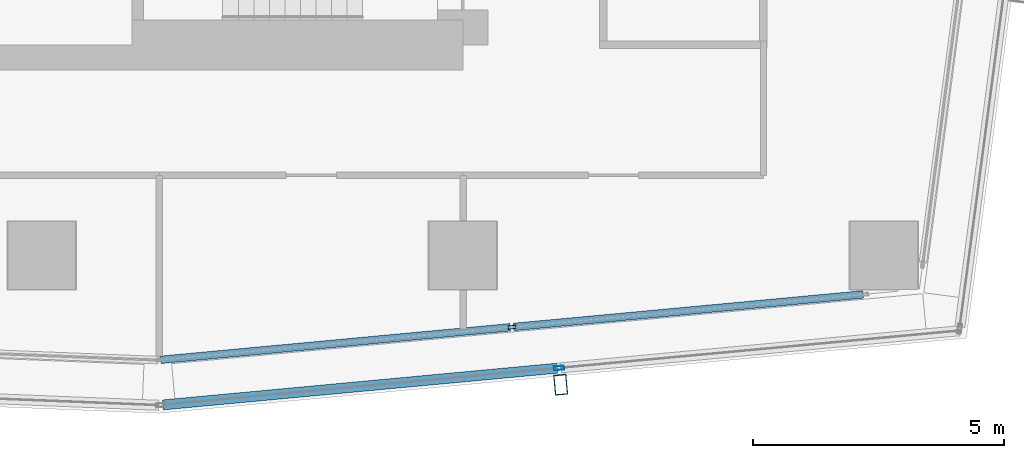
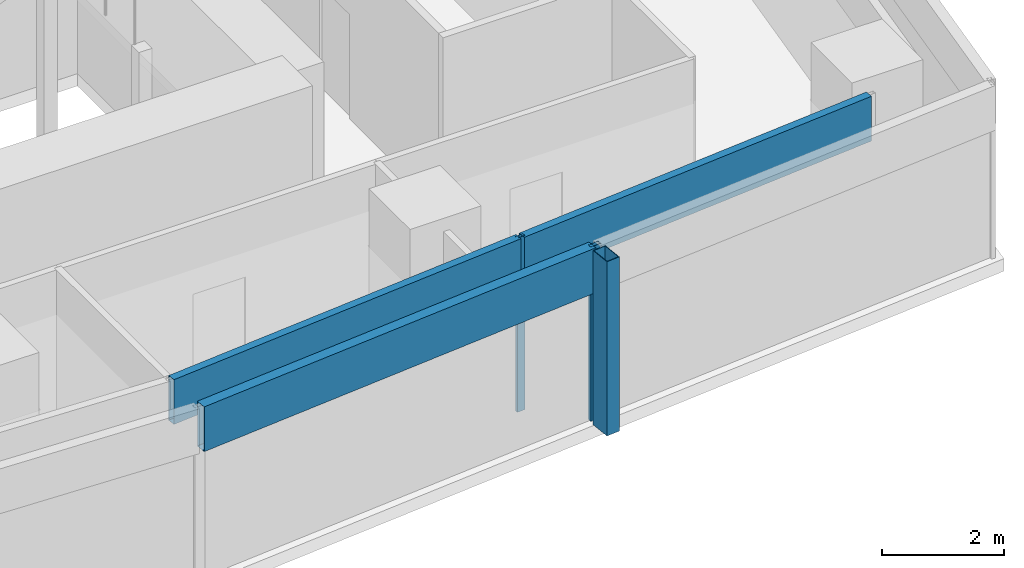
# One storey, part 9 of 35: 6 members, 2 elements without a shape of their own.
"""IFC4 building model written with IfcOpenShell, lengths in metres."""

from ifc_helpers import new_model, si_unit, direction, frame, origin, origin_2d, place, context, subcontext, project, spatial, hollow_rectangle, extrude, material, material_profile, profile_set, type_object, element, aggregate, save


model = new_model("IFC4")

# Units and contexts
model_context = context("Model", 3, precision=1e-05, world=origin(), true_north=direction((0.0, 1.0)))
body_context = subcontext(model_context, "Body", "Model", "MODEL_VIEW")
ifc_project = project(units=[si_unit("LENGTHUNIT", "METRE"), si_unit("AREAUNIT", "SQUARE_METRE"), si_unit("VOLUMEUNIT", "CUBIC_METRE"), si_unit("PLANEANGLEUNIT", "RADIAN"), si_unit("MASSUNIT", "GRAM", prefix="KILO")], contexts=[model_context])

# Site, building, storey
site_placement = place(None, origin())
site = spatial("IfcSite", under=ifc_project, at=site_placement, CompositionType="ELEMENT")
building_placement = place(site_placement, origin())
building = spatial("IfcBuilding", under=site, at=building_placement, Name="Rekha Terrace Tower", CompositionType="ELEMENT")
storey_placement = place(building_placement, frame((0.0, 0.0, 191.449951171875)))
storey = spatial("IfcBuildingStorey", under=building, at=storey_placement, Name="L48", CompositionType="ELEMENT", Elevation=191.449951171875)

# Curtain wall, member
ifc_material_1 = material(Name="Aluminium framing", Category="aluminium")
curtain_wall_type_1 = type_object("IfcCurtainWallType", Name="CW2 double skin outer glazing", PredefinedType="USERDEFINED", material=ifc_material_1)
curtain_wall_1_placement = place(storey_placement, origin())
curtain_wall_1 = element("IfcCurtainWall", 1, at=curtain_wall_1_placement, inside=storey, type_object=curtain_wall_type_1, Name="CW2 double skin outer glazing", ObjectType="DOUBLE SKIN OUTER GLAZING", PredefinedType="USERDEFINED")
ifc_material_2 = material(Name="Steel S355 with fluorocarbon finish", Category="steel")
ifc_material_profile_1 = material_profile(ifc_material_2, hollow_rectangle(XDim=0.25, YDim=0.39990234375, WallThickness=0.012451171875, at=origin_2d()), Name="RHS400x250x12.5")
ifc_profile_set_1 = profile_set([ifc_material_profile_1], Name="Steel S355 with fluorocarbon finish")
member_type_1 = type_object("IfcMemberType", Name="BL1 facade blade RHS 400 x 250", PredefinedType="USERDEFINED", material=ifc_profile_set_1)
member_1_placement = place(storey_placement, frame((52.35302734375, 14.22021484375, 0.0), z_axis=(0.0, 0.0, 1.0), x_axis=(0.995693203185, 0.092709466242, 0.0)))
member_1 = element("IfcMember", 2, at=member_1_placement, type_object=member_type_1, Name="Facade blade", ObjectType="FACADE BLADE", PredefinedType="USERDEFINED", context=body_context, shape_type="SweptSolid", body=[
    extrude(hollow_rectangle(XDim=0.25, YDim=0.39990234375, WallThickness=0.012451171875, at=origin_2d()), origin(), (0.0, 0.0, 1.0), 3.5),
])

# Curtain wall, members
curtain_wall_type_2 = type_object("IfcCurtainWallType", Name="CW1 double skin inner glazing", PredefinedType="USERDEFINED", material=ifc_material_1)
curtain_wall_2_placement = place(storey_placement, origin())
curtain_wall_2 = element("IfcCurtainWall", 3, at=curtain_wall_2_placement, inside=storey, type_object=curtain_wall_type_2, Name="CW1 double skin inner glazing", ObjectType="DOUBLE SKIN INNER GLAZING", PredefinedType="USERDEFINED")
ifc_material_3 = material(Name="Aluminium mullion section", Category="aluminium")
ifc_material_profile_2 = material_profile(ifc_material_3, hollow_rectangle(XDim=0.06494140625, YDim=0.14990234375, WallThickness=0.00390625, at=origin_2d()), Name="AL RHS 65x150")
ifc_profile_set_2 = profile_set([ifc_material_profile_2], Name="Aluminium mullion section")
member_type_2 = type_object("IfcMemberType", Name="CW1 mullion RHS 65 x 150", PredefinedType="MULLION", material=ifc_profile_set_2)
member_2_placement = place(storey_placement, frame((51.3818359375, 15.370361328125, 0.0), z_axis=(0.0, 0.0, 1.0), x_axis=(-0.092708869564, 0.995693258742, 0.0)))
member_2 = element("IfcMember", 4, at=member_2_placement, type_object=member_type_2, Name="CW1 mullion 2", PredefinedType="MULLION", context=body_context, shape_type="SweptSolid", body=[
    extrude(hollow_rectangle(XDim=0.06494140625, YDim=0.14990234375, WallThickness=0.00390625, at=origin_2d()), origin(), (0.0, 0.0, 1.0), 3.5),
])
ifc_material_4 = material(Name="Insulated aluminium spandrel box", Category="aluminium")
ifc_material_profile_3 = material_profile(ifc_material_4, hollow_rectangle(XDim=0.14990234375, YDim=0.89990234375, WallThickness=0.0029296875, at=origin_2d()), Name="AL SPANDREL BOX 150x900")
ifc_profile_set_3 = profile_set([ifc_material_profile_3], Name="Insulated aluminium spandrel box")
member_type_3 = type_object("IfcMemberType", Name="CW1 spandrel transom 150 x 900", PredefinedType="USERDEFINED", material=ifc_profile_set_3)
member_3_placement = place(storey_placement, frame((44.376708984375, 14.718017578125, 3.050048828125), z_axis=(0.995694259474, 0.092698121072, 0.0), x_axis=(-0.092698121072, 0.995694259474, 0.0)))
member_3 = element("IfcMember", 5, at=member_3_placement, type_object=member_type_3, Name="CW1 spandrel transom 1", ObjectType="TRANSOM", PredefinedType="USERDEFINED", context=body_context, shape_type="SweptSolid", body=[
    extrude(hollow_rectangle(XDim=0.14990234375, YDim=0.89990234375, WallThickness=0.0029296875, at=origin_2d()), origin(), (0.0, 0.0, 1.0), 7.003173828125),
])
member_4_placement = place(storey_placement, frame((51.414306640625, 15.373291015625, 3.050048828125), z_axis=(0.995694259474, 0.092698121072, 0.0), x_axis=(-0.092698121072, 0.995694259474, 0.0)))
member_4 = element("IfcMember", 6, at=member_4_placement, type_object=member_type_3, Name="CW1 spandrel transom 2", ObjectType="TRANSOM", PredefinedType="USERDEFINED", context=body_context, shape_type="SweptSolid", body=[
    extrude(hollow_rectangle(XDim=0.14990234375, YDim=0.89990234375, WallThickness=0.0029296875, at=origin_2d()), origin(), (0.0, 0.0, 1.0), 7.003173828125),
])
aggregate(curtain_wall_2, [member_2, member_3, member_4])

# Member
ifc_material_profile_4 = material_profile(ifc_material_3, hollow_rectangle(XDim=0.080078125, YDim=0.199951171875, WallThickness=0.00390625, at=origin_2d()), Name="AL RHS 80x200")
ifc_profile_set_4 = profile_set([ifc_material_profile_4], Name="Aluminium mullion section")
member_type_4 = type_object("IfcMemberType", Name="CW2 mullion RHS 80 x 200", PredefinedType="MULLION", material=ifc_profile_set_4)
member_5_placement = place(storey_placement, frame((52.322021484375, 14.553955078125, 0.0), z_axis=(0.0, 0.0, 1.0), x_axis=(-0.092708869512, 0.995693258747, 0.0)))
member_5 = element("IfcMember", 7, at=member_5_placement, type_object=member_type_4, Name="CW2 mullion 2", PredefinedType="MULLION", context=body_context, shape_type="SweptSolid", body=[
    extrude(hollow_rectangle(XDim=0.080078125, YDim=0.199951171875, WallThickness=0.00390625, at=origin_2d()), origin(), (0.0, 0.0, 1.0), 3.5),
])

ifc_material_profile_5 = material_profile(ifc_material_4, hollow_rectangle(XDim=0.199951171875, YDim=0.89990234375, WallThickness=0.0029296875, at=origin_2d()), Name="AL SPANDREL BOX 200x900")
ifc_profile_set_5 = profile_set([ifc_material_profile_5], Name="Insulated aluminium spandrel box")
member_type_5 = type_object("IfcMemberType", Name="CW2 spandrel transom 200 x 900", PredefinedType="USERDEFINED", material=ifc_profile_set_5)
member_6_placement = place(storey_placement, frame((44.41552734375, 13.817626953125, 3.050048828125), z_axis=(0.995690937161, 0.092733799963, 0.0), x_axis=(-0.092733799963, 0.995690937161, 0.0)))
member_6 = element("IfcMember", 8, at=member_6_placement, type_object=member_type_5, Name="CW2 spandrel transom 1", ObjectType="TRANSOM", PredefinedType="USERDEFINED", context=body_context, shape_type="SweptSolid", body=[
    extrude(hollow_rectangle(XDim=0.199951171875, YDim=0.89990234375, WallThickness=0.0029296875, at=origin_2d()), origin(), (0.0, 0.0, 1.0), 7.900634765625),
])

aggregate(curtain_wall_1, [member_5, member_6, member_1])

save(model, "model.ifc")
